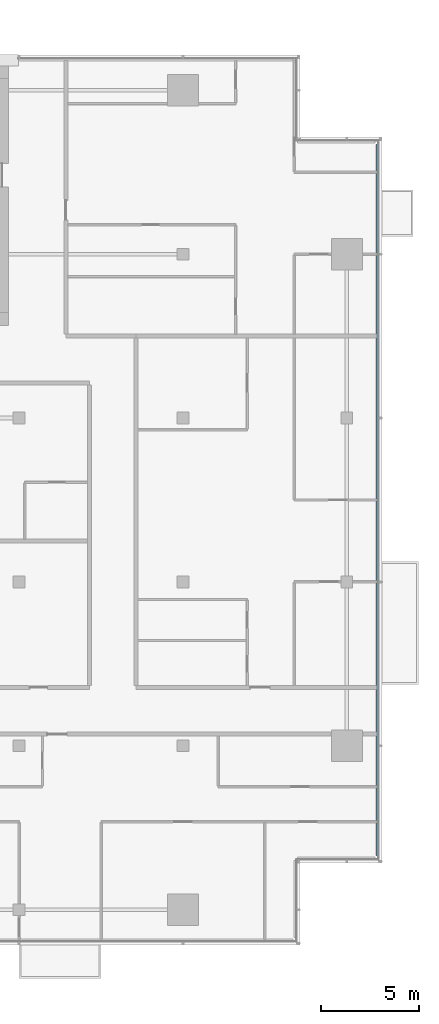
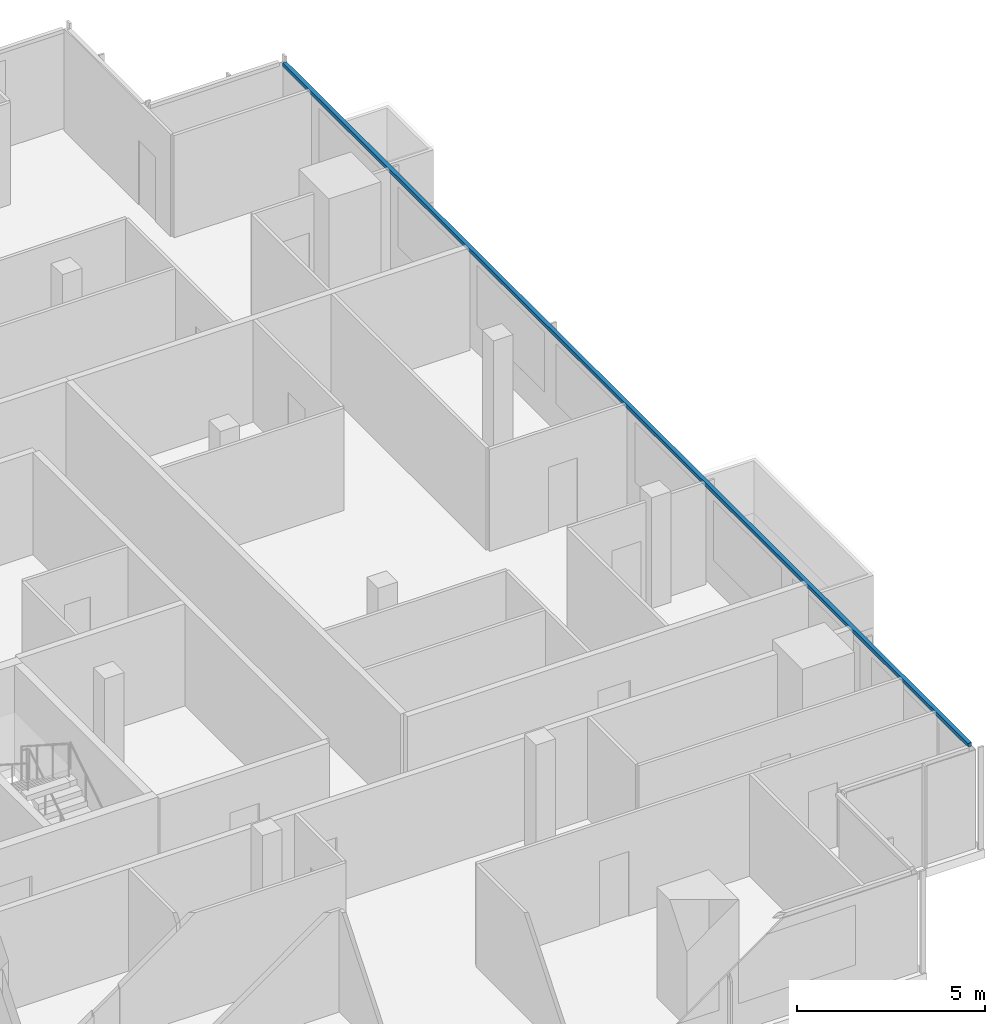
# One storey, part 12 of 26: 1 member, 1 element without a shape of its own.
"""IFC4 building model written with IfcOpenShell, lengths in metres."""

from ifc_helpers import new_model, si_unit, direction, frame, origin, origin_2d, place, context, subcontext, project, spatial, rectangle, extrude, material, material_profile, profile_set, type_object, element, aggregate, save


model = new_model("IFC4")

# Units and contexts
model_context = context("Model", 3, precision=1e-05, world=origin(), true_north=direction((0.0, 1.0)))
body_context = subcontext(model_context, "Body", "Model", "MODEL_VIEW")
ifc_project = project(units=[si_unit("LENGTHUNIT", "METRE"), si_unit("AREAUNIT", "SQUARE_METRE"), si_unit("VOLUMEUNIT", "CUBIC_METRE"), si_unit("PLANEANGLEUNIT", "RADIAN"), si_unit("MASSUNIT", "GRAM", prefix="KILO")], contexts=[model_context])

# Site, building, storey
site_placement = place(None, origin())
site = spatial("IfcSite", under=ifc_project, at=site_placement, CompositionType="ELEMENT")
building_placement = place(site_placement, origin())
building = spatial("IfcBuilding", under=site, at=building_placement, Name="Saffron Gate Tower", CompositionType="ELEMENT")
storey_placement = place(building_placement, frame((0.0, 0.0, 230.699951171875)))
storey = spatial("IfcBuildingStorey", under=building, at=storey_placement, Name="L56", CompositionType="ELEMENT", Elevation=230.699951171875)

# Curtain wall, member
ifc_material = material(Name="Aluminium, bronze anodised", Category="aluminium")
curtain_wall_type = type_object("IfcCurtainWallType", Name="CWS2 curtain wall side facades", PredefinedType="NOTDEFINED", material=ifc_material)
curtain_wall_placement = place(storey_placement, origin())
curtain_wall = element("IfcCurtainWall", 1, at=curtain_wall_placement, inside=storey, type_object=curtain_wall_type, Name="CWS2 run 4", PredefinedType="NOTDEFINED")
ifc_material_profile = material_profile(ifc_material, rectangle(XDim=0.1201171875, YDim=0.1201171875, at=origin_2d()))
ifc_profile_set = profile_set([ifc_material_profile], Name="Aluminium, bronze anodised")
member_type = type_object("IfcMemberType", Name="CWS2 head transom", PredefinedType="USERDEFINED", material=ifc_profile_set)
member_placement = place(storey_placement, frame((126.951904296875, 34.568115234375, 3.260009765625), z_axis=(0.0, 1.0, 0.0), x_axis=(-1.0, 0.0, 0.0)))
member = element("IfcMember", 2, at=member_placement, type_object=member_type, Name="CWS2 head transom", ObjectType="TRANSOM", PredefinedType="USERDEFINED", context=body_context, shape_type="SweptSolid", body=[
    extrude(rectangle(XDim=0.1201171875, YDim=0.1201171875, at=origin_2d()), origin(), (0.0, 0.0, 1.0), 36.4638671875),
])
aggregate(curtain_wall, [member])

save(model, "model.ifc")
